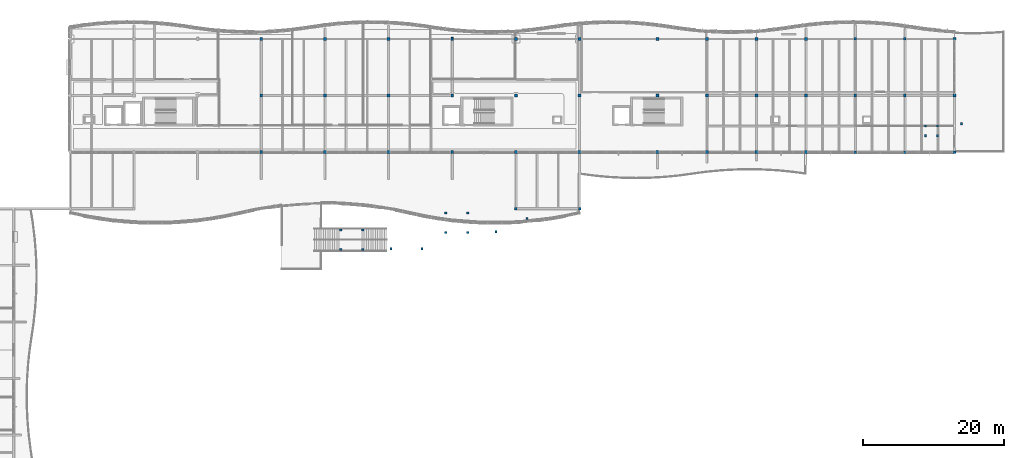
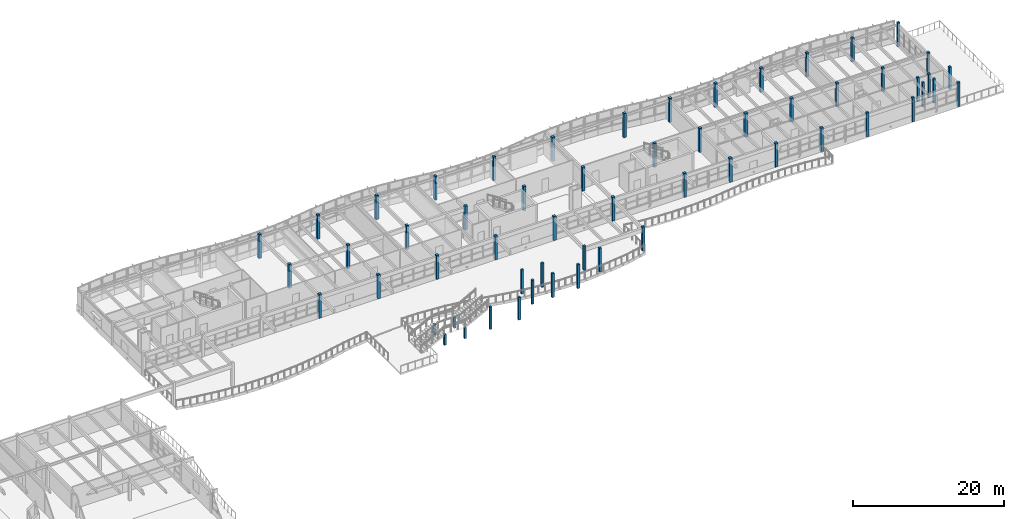
# One storey, part 2 of 63: 58 columns.
"""IFC4 building model written with IfcOpenShell, lengths in metres."""

from ifc_helpers import new_model, si_unit, direction, frame, origin, origin_2d, place, context, subcontext, project, spatial, rectangle, extrude, material, material_profile, profile_set, type_object, element, save


model = new_model("IFC4")

# Units and contexts
model_context = context("Model", 3, precision=1e-05, world=origin(), true_north=direction((0.0, 1.0)))
body_context = subcontext(model_context, "Body", "Model", "MODEL_VIEW")
ifc_project = project(units=[si_unit("LENGTHUNIT", "METRE"), si_unit("AREAUNIT", "SQUARE_METRE"), si_unit("VOLUMEUNIT", "CUBIC_METRE"), si_unit("PLANEANGLEUNIT", "RADIAN"), si_unit("MASSUNIT", "GRAM", prefix="KILO")], contexts=[model_context])

# Site, building, storey
site_placement = place(None, origin())
site = spatial("IfcSite", under=ifc_project, at=site_placement, CompositionType="ELEMENT")
building_placement = place(site_placement, origin())
building = spatial("IfcBuilding", under=site, at=building_placement, Name="Tonlespit Floodbar School", CompositionType="ELEMENT")
storey_placement = place(building_placement, frame((0.0, 0.0, 8.39990234375)))
storey = spatial("IfcBuildingStorey", under=building, at=storey_placement, Name="L02", CompositionType="ELEMENT", Elevation=8.39990234375)

# Columns
ifc_material = material(Name="Glulam GL28h", Category="wood")
ifc_material_profile_1 = material_profile(ifc_material, rectangle(XDim=0.320068359375, YDim=0.320068359375, at=origin_2d()), Name="GL 320x320")
ifc_profile_set_1 = profile_set([ifc_material_profile_1], Name="Glulam GL28h")
column_type_1 = type_object("IfcColumnType", Name="Column_GL_320x320", PredefinedType="COLUMN", material=ifc_profile_set_1)
for number, where, z_axis, x_axis, name in (
    (1, (89.330078125, 90.35009765625, 0.0), (0.0, 0.0, 1.0), (1.0, 0.0, 0.0), "L02 courtyard amphitheatre column ST-CT3-P1"),
    (2, (93.72998046875, 90.35009765625, 0.0), (0.0, 0.0, 1.0), (1.0, 0.0, 0.0), "L02 courtyard amphitheatre column ST-CT3-P2"),
):
    element("IfcColumn", number, at=place(storey_placement, frame(where, z_axis=z_axis, x_axis=x_axis)), inside=storey, type_object=column_type_1, Name=name, PredefinedType="COLUMN", context=body_context, shape_type="SweptSolid", body=[
        extrude(rectangle(XDim=0.320068359375, YDim=0.320068359375, at=origin_2d()), origin(), (0.0, 0.0, 1.0), 3.648193359375),
    ])
for number, where, z_axis, x_axis, name in (
    (3, (104.169921875, 92.75, 0.0), (0.0, 0.0, 1.0), (1.0, 0.0, 0.0), "L02 courtyard amphitheatre column ST-CT4-P1"),
    (4, (108.570068359375, 94.60009765625, 0.0), (0.0, 0.0, 1.0), (1.0, 0.0, 0.0), "L02 courtyard amphitheatre column ST-CT4-P2"),
):
    element("IfcColumn", number, at=place(storey_placement, frame(where, z_axis=z_axis, x_axis=x_axis)), inside=storey, type_object=column_type_1, Name=name, PredefinedType="COLUMN", context=body_context, shape_type="SweptSolid", body=[
        extrude(rectangle(XDim=0.320068359375, YDim=0.320068359375, at=origin_2d()), origin(), (0.0, 0.0, 1.0), 3.900146484375),
    ])
column_1_placement = place(storey_placement, frame((170.0, 108.0, 0.0), z_axis=(0.0, 0.0, 1.0), x_axis=(1.0, 0.0, 0.0)))
element("IfcColumn", 5, at=column_1_placement, inside=storey, type_object=column_type_1, Name="L02 courtyard amphitheatre column STL2-TAB", PredefinedType="COLUMN", context=body_context, shape_type="SweptSolid", body=[
    extrude(rectangle(XDim=0.320068359375, YDim=0.320068359375, at=origin_2d()), origin(), (0.0, 0.0, 1.0), 3.648193359375),
])
for number, where, z_axis, x_axis, name in (
    (6, (82.239990234375, 90.219970703125, 0.0), (0.0, 0.0, 1.0), (1.0, 0.0, 0.0), "L02 stair ST-CT3 landing column 1"),
    (7, (85.340087890625, 90.219970703125, 0.0), (0.0, 0.0, 1.0), (1.0, 0.0, 0.0), "L02 stair ST-CT3 landing column 2"),
    (8, (85.340087890625, 92.97998046875, 0.0), (0.0, 0.0, 1.0), (1.0, 0.0, 0.0), "L02 stair ST-CT3 landing column 3"),
    (9, (82.239990234375, 92.97998046875, 0.0), (0.0, 0.0, 1.0), (1.0, 0.0, 0.0), "L02 stair ST-CT3 landing column 4"),
):
    element("IfcColumn", number, at=place(storey_placement, frame(where, z_axis=z_axis, x_axis=x_axis)), inside=storey, type_object=column_type_1, Name=name, PredefinedType="COLUMN", context=body_context, shape_type="SweptSolid", body=[
        extrude(rectangle(XDim=0.320068359375, YDim=0.320068359375, at=origin_2d()), origin(), (0.0, 0.0, 1.0), 1.75),
    ])
for number, where, z_axis, x_axis, name in (
    (10, (97.080078125, 92.6201171875, 0.0), (0.0, 0.0, 1.0), (1.0, 0.0, 0.0), "L02 stair ST-CT4 landing column 1"),
    (11, (100.179931640625, 92.6201171875, 0.0), (0.0, 0.0, 1.0), (1.0, 0.0, 0.0), "L02 stair ST-CT4 landing column 2"),
    (12, (100.179931640625, 95.3798828125, 0.0), (0.0, 0.0, 1.0), (1.0, 0.0, 0.0), "L02 stair ST-CT4 landing column 3"),
    (13, (97.080078125, 95.3798828125, 0.0), (0.0, 0.0, 1.0), (1.0, 0.0, 0.0), "L02 stair ST-CT4 landing column 4"),
    (14, (166.60009765625, 107.679931640625, 0.0), (0.0, 0.0, 1.0), (1.0, 0.0, 0.0), "L02 stair ST-L2 landing column 1"),
    (15, (164.89990234375, 107.679931640625, 0.0), (0.0, 0.0, 1.0), (1.0, 0.0, 0.0), "L02 stair ST-L2 landing column 2"),
    (16, (164.89990234375, 106.320068359375, 0.0), (0.0, 0.0, 1.0), (1.0, 0.0, 0.0), "L02 stair ST-L2 landing column 3"),
    (17, (166.60009765625, 106.320068359375, 0.0), (0.0, 0.0, 1.0), (1.0, 0.0, 0.0), "L02 stair ST-L2 landing column 4"),
):
    element("IfcColumn", number, at=place(storey_placement, frame(where, z_axis=z_axis, x_axis=x_axis)), inside=storey, type_object=column_type_1, Name=name, PredefinedType="COLUMN", context=body_context, shape_type="SweptSolid", body=[
        extrude(rectangle(XDim=0.320068359375, YDim=0.320068359375, at=origin_2d()), origin(), (0.0, 0.0, 1.0), 3.900146484375),
    ])
ifc_material_profile_2 = material_profile(ifc_material, rectangle(XDim=0.360107421875, YDim=0.360107421875, at=origin_2d()), Name="GL 360x360")
ifc_profile_set_2 = profile_set([ifc_material_profile_2], Name="Glulam GL28h")
column_type_2 = type_object("IfcColumnType", Name="Column_GL_360x360", PredefinedType="COLUMN", material=ifc_profile_set_2)
for number, where, z_axis, x_axis, name in (
    (18, (107.0, 96.0, 0.0), (0.0, 0.0, 1.0), (1.0, 0.0, 0.0), "L02 column U13/V14"),
    (19, (116.0, 96.0, 0.0), (0.0, 0.0, 1.0), (1.0, 0.0, 0.0), "L02 column U14/V14"),
    (20, (155.0, 104.0, 0.0), (0.0, 0.0, 1.0), (1.0, 0.0, 0.0), "L02 column U19/V15"),
    (21, (155.0, 112.0, 0.0), (0.0, 0.0, 1.0), (1.0, 0.0, 0.0), "L02 column U19/V16"),
    (22, (155.0, 120.0, 0.0), (0.0, 0.0, 1.0), (1.0, 0.0, 0.0), "L02 column U19/V17"),
    (23, (162.0, 104.0, 0.0), (0.0, 0.0, 1.0), (1.0, 0.0, 0.0), "L02 column U20/V15"),
    (24, (162.0, 112.0, 0.0), (0.0, 0.0, 1.0), (1.0, 0.0, 0.0), "L02 column U20/V16"),
    (25, (162.0, 120.0, 0.0), (0.0, 0.0, 1.0), (1.0, 0.0, 0.0), "L02 column U20/V17"),
    (26, (169.0, 104.0, 0.0), (0.0, 0.0, 1.0), (1.0, 0.0, 0.0), "L02 column U21/V15"),
    (27, (169.0, 112.0, 0.0), (0.0, 0.0, 1.0), (1.0, 0.0, 0.0), "L02 column U21/V16"),
    (28, (169.0, 120.0, 0.0), (0.0, 0.0, 1.0), (1.0, 0.0, 0.0), "L02 column U21/V17"),
):
    element("IfcColumn", number, at=place(storey_placement, frame(where, z_axis=z_axis, x_axis=x_axis)), inside=storey, type_object=column_type_2, Name=name, PredefinedType="COLUMN", context=body_context, shape_type="SweptSolid", body=[
        extrude(rectangle(XDim=0.360107421875, YDim=0.360107421875, at=origin_2d()), origin(), (0.0, 0.0, 1.0), 3.900146484375),
    ])
ifc_material_profile_3 = material_profile(ifc_material, rectangle(XDim=0.39990234375, YDim=0.39990234375, at=origin_2d()), Name="GL 400x400")
ifc_profile_set_3 = profile_set([ifc_material_profile_3], Name="Glulam GL28h")
column_type_3 = type_object("IfcColumnType", Name="Column_GL_400x400", PredefinedType="COLUMN", material=ifc_profile_set_3)
for number, where, z_axis, x_axis, name in (
    (29, (71.0, 104.0, 0.0), (0.0, 0.0, 1.0), (1.0, 0.0, 0.0), "L02 column U09/V15"),
    (30, (71.0, 112.0, 0.0), (0.0, 0.0, 1.0), (1.0, 0.0, 0.0), "L02 column U09/V16"),
    (31, (71.0, 120.0, 0.0), (0.0, 0.0, 1.0), (1.0, 0.0, 0.0), "L02 column U09/V17"),
    (32, (80.0, 104.0, 0.0), (0.0, 0.0, 1.0), (1.0, 0.0, 0.0), "L02 column U10/V15"),
    (33, (80.0, 112.0, 0.0), (0.0, 0.0, 1.0), (1.0, 0.0, 0.0), "L02 column U10/V16"),
    (34, (80.0, 120.0, 0.0), (0.0, 0.0, 1.0), (1.0, 0.0, 0.0), "L02 column U10/V17"),
    (35, (89.0, 104.0, 0.0), (0.0, 0.0, 1.0), (1.0, 0.0, 0.0), "L02 column U11/V15"),
    (36, (89.0, 112.0, 0.0), (0.0, 0.0, 1.0), (1.0, 0.0, 0.0), "L02 column U11/V16"),
    (37, (89.0, 120.0, 0.0), (0.0, 0.0, 1.0), (1.0, 0.0, 0.0), "L02 column U11/V17"),
    (38, (98.0, 104.0, 0.0), (0.0, 0.0, 1.0), (1.0, 0.0, 0.0), "L02 column U12/V15"),
    (39, (98.0, 112.0, 0.0), (0.0, 0.0, 1.0), (1.0, 0.0, 0.0), "L02 column U12/V16"),
    (40, (107.0, 104.0, 0.0), (0.0, 0.0, 1.0), (1.0, 0.0, 0.0), "L02 column U13/V15"),
    (41, (107.0, 112.0, 0.0), (0.0, 0.0, 1.0), (1.0, 0.0, 0.0), "L02 column U13/V16"),
    (42, (107.0, 120.0, 0.0), (0.0, 0.0, 1.0), (1.0, 0.0, 0.0), "L02 column U13/V17"),
    (43, (116.0, 104.0, 0.0), (0.0, 0.0, 1.0), (1.0, 0.0, 0.0), "L02 column U14/V15"),
    (44, (116.0, 112.0, 0.0), (0.0, 0.0, 1.0), (1.0, 0.0, 0.0), "L02 column U14/V16"),
    (45, (116.0, 120.0, 0.0), (0.0, 0.0, 1.0), (1.0, 0.0, 0.0), "L02 column U14/V17"),
    (46, (127.0, 104.0, 0.0), (0.0, 0.0, 1.0), (1.0, 0.0, 0.0), "L02 column U15/V15"),
    (47, (127.0, 112.0, 0.0), (0.0, 0.0, 1.0), (1.0, 0.0, 0.0), "L02 column U15/V16"),
    (48, (127.0, 120.0, 0.0), (0.0, 0.0, 1.0), (1.0, 0.0, 0.0), "L02 column U15/V17"),
    (49, (134.0, 104.0, 0.0), (0.0, 0.0, 1.0), (1.0, 0.0, 0.0), "L02 column U16/V15"),
    (50, (134.0, 112.0, 0.0), (0.0, 0.0, 1.0), (1.0, 0.0, 0.0), "L02 column U16/V16"),
    (51, (134.0, 120.0, 0.0), (0.0, 0.0, 1.0), (1.0, 0.0, 0.0), "L02 column U16/V17"),
    (52, (141.0, 104.0, 0.0), (0.0, 0.0, 1.0), (1.0, 0.0, 0.0), "L02 column U17/V15"),
    (53, (141.0, 112.0, 0.0), (0.0, 0.0, 1.0), (1.0, 0.0, 0.0), "L02 column U17/V16"),
    (54, (141.0, 120.0, 0.0), (0.0, 0.0, 1.0), (1.0, 0.0, 0.0), "L02 column U17/V17"),
    (55, (148.0, 104.0, 0.0), (0.0, 0.0, 1.0), (1.0, 0.0, 0.0), "L02 column U18/V15"),
    (56, (148.0, 112.0, 0.0), (0.0, 0.0, 1.0), (1.0, 0.0, 0.0), "L02 column U18/V16"),
    (57, (148.0, 120.0, 0.0), (0.0, 0.0, 1.0), (1.0, 0.0, 0.0), "L02 column U18/V17"),
):
    element("IfcColumn", number, at=place(storey_placement, frame(where, z_axis=z_axis, x_axis=x_axis)), inside=storey, type_object=column_type_3, Name=name, PredefinedType="COLUMN", context=body_context, shape_type="SweptSolid", body=[
        extrude(rectangle(XDim=0.39990234375, YDim=0.39990234375, at=origin_2d()), origin(), (0.0, 0.0, 1.0), 3.900146484375),
    ])
ifc_material_profile_4 = material_profile(ifc_material, rectangle(XDim=0.280029296875, YDim=0.419921875, at=origin_2d()), Name="GL 280x420")
ifc_profile_set_4 = profile_set([ifc_material_profile_4], Name="Glulam GL28h")
column_type_4 = type_object("IfcColumnType", Name="Pilaster_GL_280x420", PredefinedType="PILASTER", material=ifc_profile_set_4)
column_2_placement = place(storey_placement, frame((98.0, 120.0, 0.0), z_axis=(0.0, 0.0, 1.0), x_axis=(1.0, 0.0, 0.0)))
element("IfcColumn", 58, at=column_2_placement, inside=storey, type_object=column_type_4, Name="L02 column U12/V17", PredefinedType="PILASTER", context=body_context, shape_type="SweptSolid", body=[
    extrude(rectangle(XDim=0.280029296875, YDim=0.419921875, at=origin_2d()), origin(), (0.0, 0.0, 1.0), 3.900146484375),
])

save(model, "model.ifc")
